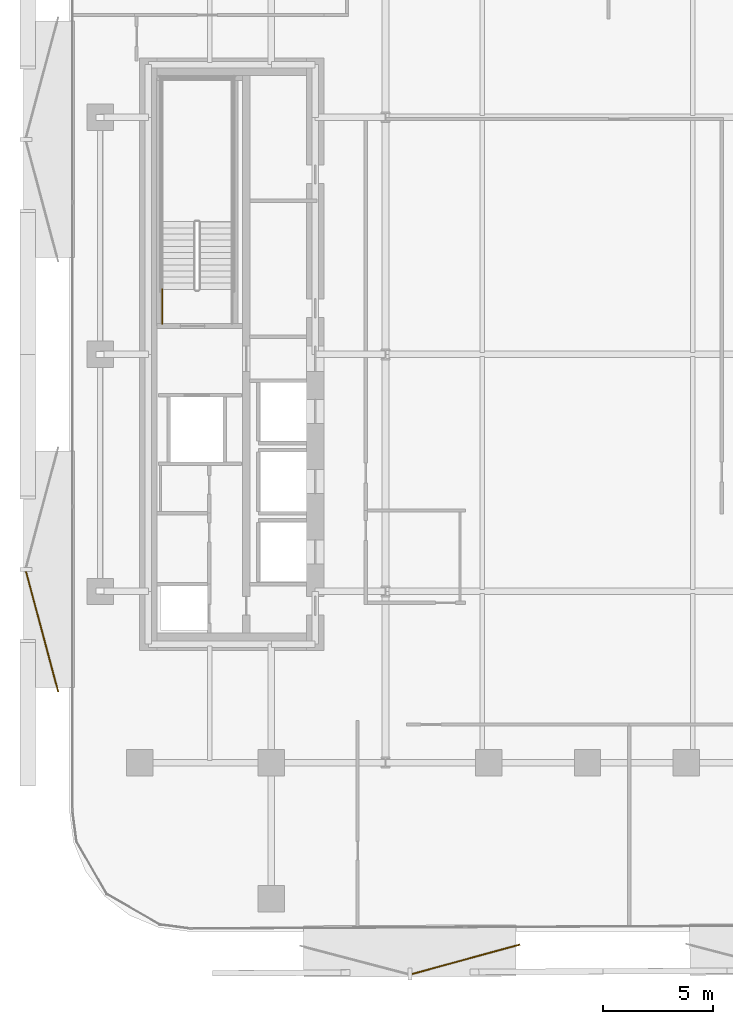
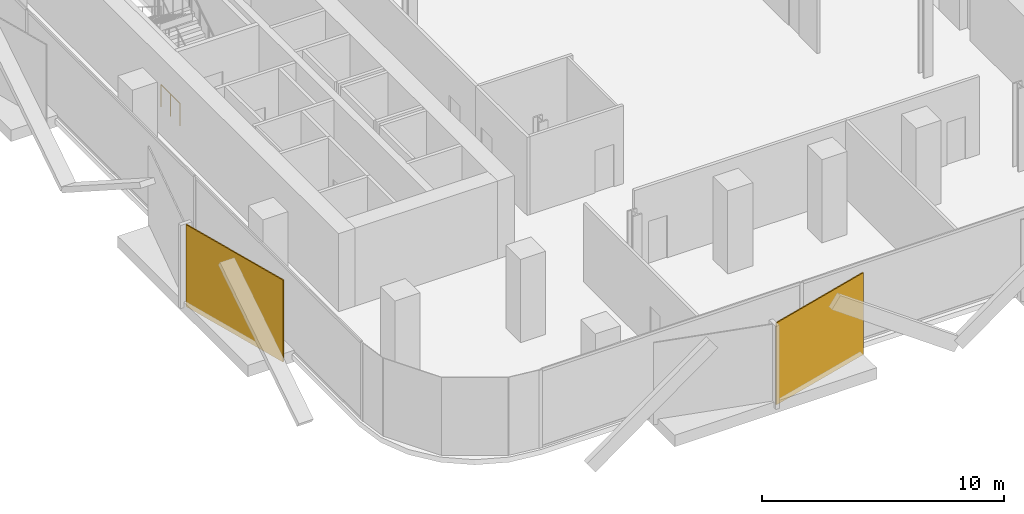
# One storey, part 11 of 15: 2 coverings, 1 railing.
"""IFC4 building model written with IfcOpenShell, lengths in metres."""

import ifcopenshell
import ifcopenshell.guid

model = None  # the IFC model being written
_history = None  # IfcOwnerHistory: only IFC2X3 demands one
_inside = {}  # id of a spatial element -> (the spatial element, [elements in it])
_under = {}  # id of a project, library or spatial element -> (it, [spatial elements below it])
_declared = {}  # id of a project -> (the project, [libraries it declares])
_typed = {}  # id of a type object -> (the type object, [elements of that type])
_made_of = {}  # id of a material, layer set ... -> (it, [elements and type objects made of it])


def new_model(schema):
    """Start an empty IFC model of exactly this schema.

    Asked for "IFC4X3", IfcOpenShell would pick the latest addendum, in which some entities
    have other attributes; the version numbers below select the first issue.
    IFC2X3 requires an IfcOwnerHistory on every rooted entity: one is made here for all.
    """
    global model, _history
    if schema == "IFC4X3":
        model = ifcopenshell.file(schema_version=(4, 3, 0, 0))
    else:
        model = ifcopenshell.file(schema=schema)
    _inside.clear()
    _under.clear()
    _declared.clear()
    _typed.clear()
    _made_of.clear()
    _history = None
    if model.schema == "IFC2X3":
        org = make("IfcOrganization", Name="unknown")
        user = make(
            "IfcPersonAndOrganization",
            ThePerson=make("IfcPerson", FamilyName="unknown"),
            TheOrganization=org,
        )
        app = make(
            "IfcApplication",
            ApplicationDeveloper=org,
            Version="unknown",
            ApplicationFullName="unknown",
            ApplicationIdentifier="unknown",
        )
        _history = make(
            "IfcOwnerHistory",
            OwningUser=user,
            OwningApplication=app,
            ChangeAction="ADDED",
            CreationDate=0,
        )
    return model


def make(cls, **values):
    """One entity of the class cls with the attributes given. An attribute that is None is left unset."""
    return model.create_entity(
        cls, **{name: value for name, value in values.items() if value is not None}
    )


def rooted(cls, **values):
    """An entity with a GlobalId (a new one), such as an element, a storey or a relation."""
    return make(cls, GlobalId=ifcopenshell.guid.new(), OwnerHistory=_history, **values)


def si_unit(unit_type, name, prefix=None):
    """IfcSIUnit, for example si_unit("LENGTHUNIT", "METRE", prefix="MILLI")."""
    return make("IfcSIUnit", UnitType=unit_type, Prefix=prefix, Name=name)


def assignment(units):
    """IfcUnitAssignment: the units of a project."""
    return None if units is None else make("IfcUnitAssignment", Units=units)


def point(xyz):
    """IfcCartesianPoint."""
    return None if xyz is None else make("IfcCartesianPoint", Coordinates=xyz)


def direction(xyz):
    """IfcDirection."""
    return None if xyz is None else make("IfcDirection", DirectionRatios=xyz)


def frame(location, z_axis=None, x_axis=None):
    """IfcAxis2Placement3D, a coordinate frame: its origin and axes. An axis left out is left unset."""
    return make(
        "IfcAxis2Placement3D",
        Location=point(location),
        Axis=direction(z_axis),
        RefDirection=direction(x_axis),
    )


def frame_2d(location, x_axis=None):
    """IfcAxis2Placement2D, a coordinate frame in the plane: its origin and x axis."""
    return make(
        "IfcAxis2Placement2D", Location=point(location), RefDirection=direction(x_axis)
    )


def origin():
    """The frame at (0, 0, 0) with its axes left unset."""
    return frame((0.0, 0.0, 0.0))


def origin_2d():
    """The frame at (0, 0) in the plane with its x axis left unset."""
    return frame_2d((0.0, 0.0))


def place(relative_to, where):
    """IfcLocalPlacement: puts the frame where relative to a parent placement (None: the world)."""
    return make(
        "IfcLocalPlacement", PlacementRelTo=relative_to, RelativePlacement=where
    )


def context(
    kind, dimensions, precision=None, world=None, true_north=None, identifier=None
):
    """IfcGeometricRepresentationContext, for example the 3D "Model" context."""
    return make(
        "IfcGeometricRepresentationContext",
        ContextIdentifier=identifier,
        ContextType=kind,
        CoordinateSpaceDimension=dimensions,
        Precision=precision,
        WorldCoordinateSystem=world,
        TrueNorth=true_north,
    )


def subcontext(parent, identifier, kind, view, scale=None):
    """IfcGeometricRepresentationSubContext, for example "Body" below "Model"."""
    return make(
        "IfcGeometricRepresentationSubContext",
        ContextIdentifier=identifier,
        ContextType=kind,
        ParentContext=parent,
        TargetScale=scale,
        TargetView=view,
    )


def project(units=None, contexts=None):
    """IfcProject with its units and contexts."""
    return rooted(
        "IfcProject",
        Name="project",
        RepresentationContexts=contexts,
        UnitsInContext=assignment(units),
    )


def spatial(cls, under=None, at=None, **own):
    """A site, building, storey or space (cls), placed at a placement, below another one or the project."""
    s = rooted(cls, ObjectPlacement=at, **own)
    if under is not None:
        _under.setdefault(under.id(), (under, []))[1].append(s)
    return s


def profile(cls, at=None, kind="AREA", **sizes):
    """A parametric profile (cls). Its sizes go by their IFC names, for example OverallWidth=200.0."""
    return make(cls, ProfileType=kind, Position=at, **sizes)


def rectangle(**sizes):
    """IfcRectangleProfileDef."""
    return profile("IfcRectangleProfileDef", **sizes)


def circle(**sizes):
    """IfcCircleProfileDef."""
    return profile("IfcCircleProfileDef", **sizes)


def extrude(swept, where, along, depth):
    """IfcExtrudedAreaSolid: the profile swept, set in the frame where, extruded along a direction by depth."""
    return make(
        "IfcExtrudedAreaSolid",
        SweptArea=swept,
        Position=where,
        ExtrudedDirection=direction(along),
        Depth=depth,
    )


def shape(context_of_items, identifier, shape_type, items):
    """IfcShapeRepresentation: the items that make up one representation, for example the "Body"."""
    return make(
        "IfcShapeRepresentation",
        ContextOfItems=context_of_items,
        RepresentationIdentifier=identifier,
        RepresentationType=shape_type,
        Items=items,
    )


def material(Name=None, Category=None):
    """IfcMaterial."""
    return make("IfcMaterial", Name=Name, Category=Category)


def layer(
    of_material, thickness, ventilated=None, Name=None, Category=None, Priority=None
):
    """IfcMaterialLayer: one layer of a wall or slab, of a material (None: an air gap)."""
    return make(
        "IfcMaterialLayer",
        Material=of_material,
        LayerThickness=thickness,
        IsVentilated=ventilated,
        Name=Name,
        Category=Category,
        Priority=Priority,
    )


def layer_set(layers, Name=None):
    """IfcMaterialLayerSet."""
    return make("IfcMaterialLayerSet", MaterialLayers=layers, LayerSetName=Name)


def made_of(thing, what):
    """Note that an element or type object is made of a material, layer set ...; save() writes the relation."""
    if what is not None:
        _made_of.setdefault(what.id(), (what, []))[1].append(thing)
    return thing


def type_object(cls, material=None, **own):
    """A type object (cls), such as IfcWallType, which elements share."""
    return made_of(rooted(cls, **own), material)


def element(
    cls,
    number,
    at=None,
    inside=None,
    cuts=None,
    type_object=None,
    material=None,
    context=None,
    identifier="Body",
    shape_type=None,
    held_by="IfcProductDefinitionShape",
    body=None,
    shapes=None,
    **own,
):
    """One element of the class cls, such as IfcWall. Its Tag is "e" and its number.

    at: its placement. inside: the storey or other place that contains it. cuts: it is an
    opening in that element (IfcRelVoidsElement). A single representation is given by context,
    identifier, shape_type and body (its items); several are given by shapes. held_by: the class
    of the entity that holds the representations. save() writes the other relations.
    """
    e = rooted(cls, Tag="e%d" % number, ObjectPlacement=at, **own)
    if body is not None:
        shapes = [shape(context, identifier, shape_type, body)]
    if shapes is not None:
        e.Representation = make(held_by, Representations=shapes)
    if inside is not None:
        _inside.setdefault(inside.id(), (inside, []))[1].append(e)
    if cuts is not None:
        rooted(
            "IfcRelVoidsElement", RelatingBuildingElement=cuts, RelatedOpeningElement=e
        )
    if type_object is not None:
        _typed.setdefault(type_object.id(), (type_object, []))[1].append(e)
    return made_of(e, material)


def aggregate(whole, parts):
    """IfcRelAggregates: a whole, such as a stair, and the parts it consists of."""
    return rooted("IfcRelAggregates", RelatingObject=whole, RelatedObjects=parts)


def save(model, path):
    """Write the relations noted so far, then the file.

    IfcRelAggregates (storeys below a building ...), IfcRelContainedInSpatialStructure (elements
    in a storey), IfcRelDefinesByType, IfcRelAssociatesMaterial and IfcRelDeclares: one each for
    every whole, place, type object, material and project.
    """
    for whole, parts in _under.values():
        aggregate(whole, parts)
    for where, things in _inside.values():
        rooted(
            "IfcRelContainedInSpatialStructure",
            RelatedElements=things,
            RelatingStructure=where,
        )
    for kind, things in _typed.values():
        rooted("IfcRelDefinesByType", RelatedObjects=things, RelatingType=kind)
    for what, things in _made_of.values():
        rooted("IfcRelAssociatesMaterial", RelatedObjects=things, RelatingMaterial=what)
    for by, libraries in _declared.values():
        rooted("IfcRelDeclares", RelatingContext=by, RelatedDefinitions=libraries)
    model.write(path)


model = new_model("IFC4")

# Units and contexts
model_context = context("Model", 3, precision=1e-05, world=origin(), true_north=direction((0.0, 1.0)))
body_context = subcontext(model_context, "Body", "Model", "MODEL_VIEW")
ifc_project = project(units=[si_unit("LENGTHUNIT", "METRE"), si_unit("AREAUNIT", "SQUARE_METRE"), si_unit("VOLUMEUNIT", "CUBIC_METRE"), si_unit("PLANEANGLEUNIT", "RADIAN"), si_unit("MASSUNIT", "GRAM", prefix="KILO")], contexts=[model_context])

# Site, building, storey
site_placement = place(None, origin())
site = spatial("IfcSite", under=ifc_project, at=site_placement, CompositionType="ELEMENT")
building_placement = place(site_placement, origin())
building = spatial("IfcBuilding", under=site, at=building_placement, Name="Khairoan Windgate Tower", CompositionType="ELEMENT")
storey_placement = place(building_placement, frame((0.0, 0.0, 143.60009765625)))
storey = spatial("IfcBuildingStorey", under=building, at=storey_placement, Name="L33", CompositionType="ELEMENT", Elevation=143.60009765625)

# Coverings
ifc_material_1 = material(Name="Anodised Bronze Aluminium 6063-T6", Category="aluminium")
ifc_layer = layer(ifc_material_1, 0.054931640625, Name="Anodised Bronze Aluminium 6063-T6")
ifc_layer_set = layer_set([ifc_layer], Name="Anodised Bronze Aluminium 6063-T6")
covering_type = type_object("IfcCoveringType", Name="Perforated Bronze-Ceramic Folded Solar Screen Cladding BSC-1", PredefinedType="CLADDING", material=ifc_layer_set)
covering_1_placement = place(storey_placement, frame((-5.53564453125, -27.55859375, -0.10009765625), z_axis=(0.0, 0.0, 1.0), x_axis=(-0.964649468762, -0.263536339841, 0.0)))
element("IfcCovering", 1, at=covering_1_placement, inside=storey, type_object=covering_type, Name="L33 Folded Bronze Solar Screen Facet 210L", PredefinedType="CLADDING", context=body_context, shape_type="SweptSolid", body=[
    extrude(rectangle(XDim=5.10107421875, YDim=0.054931640625, at=origin_2d()), origin(), (0.0, 0.0, 1.0), 4.139892578125),
])
covering_2_placement = place(storey_placement, frame((-24.8447265625, -12.629150390625, -0.10009765625), z_axis=(0.0, 0.0, 1.0), x_axis=(-0.258819045103, 0.965925826289, 0.0)))
element("IfcCovering", 2, at=covering_2_placement, inside=storey, type_object=covering_type, Name="L33 Folded Bronze Solar Screen Facet 211L", PredefinedType="CLADDING", context=body_context, shape_type="SweptSolid", body=[
    extrude(rectangle(XDim=5.680908203125, YDim=0.054931640625, at=origin_2d()), origin(), (0.0, 0.0, 1.0), 4.139892578125),
])

# Railing
ifc_material_2 = material(Name="Steel S355", Category="steel")
railing_type = type_object("IfcRailingType", Name="Stairwell Safety Guardrail SGR-1150", PredefinedType="GUARDRAIL", material=ifc_material_2)
railing_placement = place(storey_placement, frame((-19.3701171875, 1.39990234375, 0.0)))
element("IfcRailing", 3, at=railing_placement, inside=storey, type_object=railing_type, Name="L33 ST2 stair guard 9", PredefinedType="GUARDRAIL", context=body_context, shape_type="SweptSolid", body=[
    extrude(circle(Radius=0.02392578125, at=origin_2d()), frame((0.0, 0.0, 1.1259765625), z_axis=(0.0, 1.0, 0.0), x_axis=(-1.0, 0.0, 0.0)), (0.0, 0.0, 1.0), 1.56005859375),
    extrude(circle(Radius=0.02099609375, at=origin_2d()), origin(), (0.0, 0.0, 1.0), 1.101806640625),
    extrude(circle(Radius=0.02099609375, at=origin_2d()), frame((0.0, 0.780029296875, 0.0)), (0.0, 0.0, 1.0), 1.101806640625),
    extrude(circle(Radius=0.02099609375, at=origin_2d()), frame((0.0, 1.56005859375, 0.0)), (0.0, 0.0, 1.0), 1.101806640625),
])

save(model, "model.ifc")
